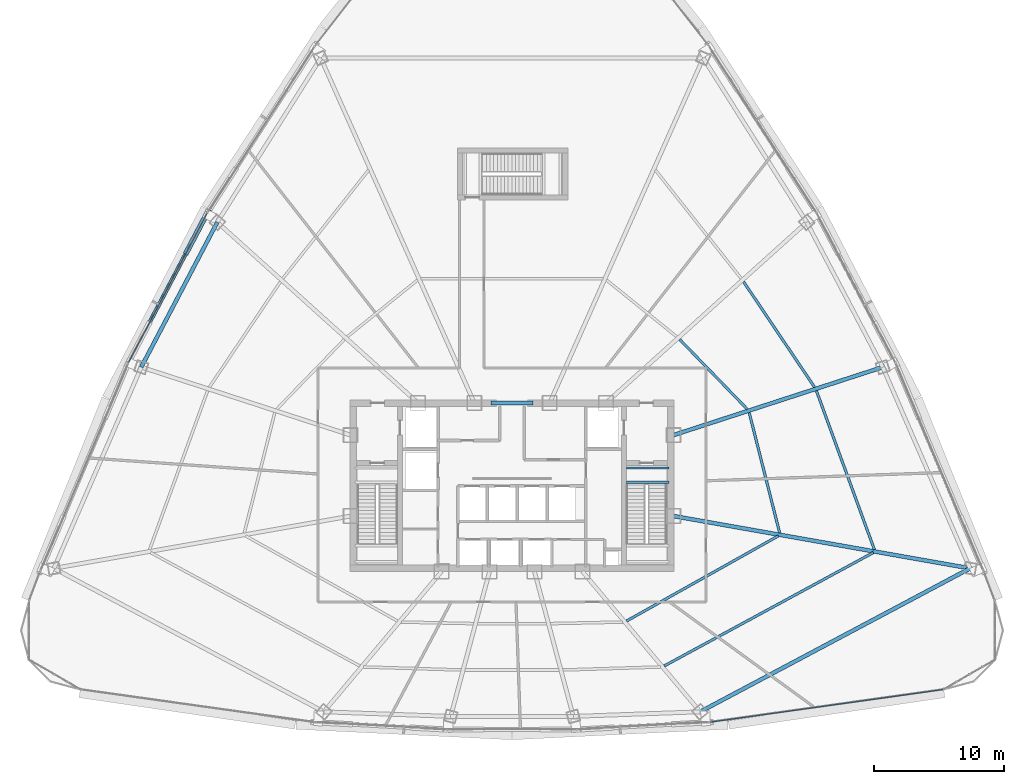
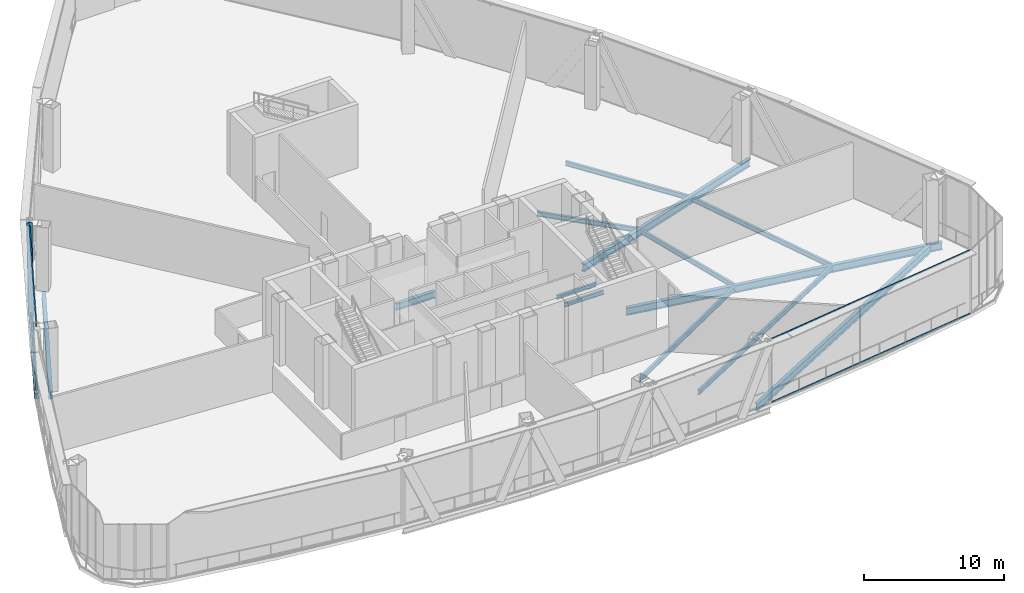
# One storey, part 15 of 38: 14 beams, 5 members, 2 elements without a shape of their own.
"""IFC4 building model written with IfcOpenShell, lengths in metres."""

from ifc_helpers import new_model, si_unit, direction, frame, origin, origin_2d, place, context, subcontext, project, spatial, hollow_rectangle, i_section, extrude, source, transform, mapped, material, layer, layer_set, material_profile, profile_set, type_object, element, aggregate, save


model = new_model("IFC4")

# Units and contexts
model_context = context("Model", 3, precision=1e-05, world=origin(), true_north=direction((0.0, 1.0)))
body_context = subcontext(model_context, "Body", "Model", "MODEL_VIEW")
ifc_project = project(units=[si_unit("LENGTHUNIT", "METRE"), si_unit("AREAUNIT", "SQUARE_METRE"), si_unit("VOLUMEUNIT", "CUBIC_METRE"), si_unit("PLANEANGLEUNIT", "RADIAN"), si_unit("MASSUNIT", "GRAM", prefix="KILO"), si_unit("THERMODYNAMICTEMPERATUREUNIT", "KELVIN"), si_unit("POWERUNIT", "WATT")], contexts=[model_context])

# Site, building, storey
site_placement = place(None, origin())
site = spatial("IfcSite", under=ifc_project, at=site_placement, CompositionType="ELEMENT")
building_placement = place(site_placement, origin())
building = spatial("IfcBuilding", under=site, at=building_placement, Name="Yunzhuo Pagoda Commons", CompositionType="ELEMENT")
storey_placement = place(building_placement, frame((0.0, 0.0, 218.9599609375)))
storey = spatial("IfcBuildingStorey", under=building, at=storey_placement, Name="L55", CompositionType="ELEMENT", Elevation=218.9599609375)

# Beams
ifc_material_1 = material(Name="Structural steel Q355B", Category="steel")
ifc_material_profile_1 = material_profile(ifc_material_1, i_section(OverallWidth=0.175048828125, OverallDepth=0.35009765625, WebThickness=0.007080078125, FlangeThickness=0.010986328125, at=origin_2d()), Name="Structural steel Q355B")
ifc_profile_set_1 = profile_set([ifc_material_profile_1], Name="Structural steel Q355B")
beam_type_1 = type_object("IfcBeamType", Name="B-JS2 Joist HN 350x175x7x11", PredefinedType="JOIST", material=ifc_profile_set_1)
shared_shape_1 = source(origin(), body_context, "Body", "SweptSolid", [
    extrude(i_section(OverallWidth=0.175048828125, OverallDepth=0.35009765625, WebThickness=0.007080078125, FlangeThickness=0.010986328125, at=origin_2d()), origin(), (0.0, 0.0, 1.0), 3.25),
])
for number, where, z_axis, x_axis, name in (
    (1, (56.800048828125, 34.10009765625, -0.375), (1.0, 0.0, 0.0), (0.0, 1.0, 0.0), "L55 ST2 landing support beam 159A"),
    (2, (56.800048828125, 35.199951171875, -0.375), (1.0, 0.0, 0.0), (0.0, 1.0, 0.0), "L55 ST2 landing support beam 159B"),
):
    element("IfcBeam", number, at=place(storey_placement, frame(where, z_axis=z_axis, x_axis=x_axis)), inside=storey, type_object=beam_type_1, Name=name, PredefinedType="JOIST", context=body_context, shape_type="MappedRepresentation", body=[
        mapped(shared_shape_1, transform((0.0, 0.0, 0.0), scale=1.0)),
    ])
ifc_material_2 = material(Name="Structural steel Q420B", Category="steel")
ifc_material_profile_2 = material_profile(ifc_material_2, i_section(OverallWidth=0.300048828125, OverallDepth=0.587890625, WebThickness=0.011962890625, FlangeThickness=0.02001953125, at=origin_2d()), Name="Structural steel Q420B")
ifc_profile_set_2 = profile_set([ifc_material_profile_2], Name="Structural steel Q420B")
beam_type_2 = type_object("IfcBeamType", Name="B-CPL Beam HM 588x300x12x20", PredefinedType="BEAM", material=ifc_profile_set_2)
shared_shape_2 = source(origin(), body_context, "Body", "SweptSolid", [
    extrude(i_section(OverallWidth=0.300048828125, OverallDepth=0.587890625, WebThickness=0.011962890625, FlangeThickness=0.02001953125, at=origin_2d()), origin(), (0.0, 0.0, 1.0), 3.2001953125),
])
beam_1_placement = place(storey_placement, frame((46.39990234375, 40.199951171875, -0.573974609375), z_axis=(1.0, 0.0, 0.0), x_axis=(0.0, 1.0, 0.0)))
element("IfcBeam", 3, at=beam_1_placement, inside=storey, type_object=beam_type_2, Name="L55 core coupling girder", PredefinedType="BEAM", context=body_context, shape_type="MappedRepresentation", body=[
    mapped(shared_shape_2, transform((0.0, 0.0, 0.0), scale=1.0)),
])
ifc_material_profile_3 = material_profile(ifc_material_1, i_section(OverallWidth=0.300048828125, OverallDepth=0.64990234375, WebThickness=0.012939453125, FlangeThickness=0.02197265625, at=origin_2d()), Name="Structural steel Q355B")
ifc_profile_set_3 = profile_set([ifc_material_profile_3], Name="Structural steel Q355B")
beam_type_3 = type_object("IfcBeamType", Name="B-RG2 Beam HN 650x300x13x22", PredefinedType="BEAM", material=ifc_profile_set_3)
shared_shape_3 = source(origin(), body_context, "Body", "SweptSolid", [
    extrude(i_section(OverallWidth=0.300048828125, OverallDepth=0.64990234375, WebThickness=0.012939453125, FlangeThickness=0.02197265625, at=origin_2d()), origin(), (0.0, 0.0, 1.0), 23.49365234375),
])
beam_2_placement = place(storey_placement, frame((62.461181640625, 16.4658203125, -0.604736328125), z_axis=(0.883016269865, 0.469342377325, 0.0), x_axis=(-0.469342377325, 0.883016269865, 0.0)))
element("IfcBeam", 4, at=beam_2_placement, inside=storey, type_object=beam_type_3, Name="L55 column-ring beam 4", PredefinedType="BEAM", context=body_context, shape_type="MappedRepresentation", body=[
    mapped(shared_shape_3, transform((0.0, 0.0, 0.0), scale=1.0)),
])
shared_shape_4 = source(origin(), body_context, "Body", "SweptSolid", [
    extrude(i_section(OverallWidth=0.300048828125, OverallDepth=0.64990234375, WebThickness=0.012939453125, FlangeThickness=0.02197265625, at=origin_2d()), origin(), (0.0, 0.0, 1.0), 12.576416015625),
])
beam_3_placement = place(storey_placement, frame((25.349365234375, 54.0947265625, -0.604736328125), z_axis=(-0.464676385233, -0.885480579689, 0.0), x_axis=(0.885480579689, -0.464676385233, 0.0)))
element("IfcBeam", 5, at=beam_3_placement, inside=storey, type_object=beam_type_3, Name="L55 column-ring beam 10", PredefinedType="BEAM", context=body_context, shape_type="MappedRepresentation", body=[
    mapped(shared_shape_4, transform((0.0, 0.0, 0.0), scale=1.0)),
])
ifc_material_profile_4 = material_profile(ifc_material_1, i_section(OverallWidth=0.199951171875, OverallDepth=0.39990234375, WebThickness=0.008056640625, FlangeThickness=0.012939453125, at=origin_2d()), Name="Structural steel Q355B")
ifc_profile_set_4 = profile_set([ifc_material_profile_4], Name="Structural steel Q355B")
beam_type_4 = type_object("IfcBeamType", Name="B-JS1 Joist HN 400x200x8x13", PredefinedType="JOIST", material=ifc_profile_set_4)
shared_shape_5 = source(origin(), body_context, "Body", "SweptSolid", [
    extrude(i_section(OverallWidth=0.199951171875, OverallDepth=0.39990234375, WebThickness=0.008056640625, FlangeThickness=0.012939453125, at=origin_2d()), origin(), (0.0, 0.0, 1.0), 13.372802734375),
])
beam_4_placement = place(storey_placement, frame((56.80859375, 23.445556640625, -0.479736328125), z_axis=(0.872150261016, 0.4892381038, 0.0), x_axis=(-0.4892381038, 0.872150261016, 0.0)))
element("IfcBeam", 6, at=beam_4_placement, inside=storey, type_object=beam_type_4, Name="L55 composite ring joist 1.4", PredefinedType="JOIST", context=body_context, shape_type="MappedRepresentation", body=[
    mapped(shared_shape_5, transform((0.0, 0.0, 0.0), scale=1.0)),
])
shared_shape_6 = source(origin(), body_context, "Body", "SweptSolid", [
    extrude(i_section(OverallWidth=0.199951171875, OverallDepth=0.39990234375, WebThickness=0.008056640625, FlangeThickness=0.012939453125, at=origin_2d()), origin(), (0.0, 0.0, 1.0), 18.27294921875),
])
beam_5_placement = place(storey_placement, frame((59.705322265625, 19.992431640625, -0.479736328125), z_axis=(0.879067821824, 0.476696721861, 0.0), x_axis=(-0.476696721861, 0.879067821824, 0.0)))
element("IfcBeam", 7, at=beam_5_placement, inside=storey, type_object=beam_type_4, Name="L55 composite ring joist 2.4", PredefinedType="JOIST", context=body_context, shape_type="MappedRepresentation", body=[
    mapped(shared_shape_6, transform((0.0, 0.0, 0.0), scale=1.0)),
])
shared_shape_7 = source(origin(), body_context, "Body", "SweptSolid", [
    extrude(i_section(OverallWidth=0.199951171875, OverallDepth=0.39990234375, WebThickness=0.008056640625, FlangeThickness=0.012939453125, at=origin_2d()), origin(), (0.0, 0.0, 1.0), 9.529052734375),
])
beam_6_placement = place(storey_placement, frame((68.5712890625, 30.219970703125, -0.479736328125), z_axis=(-0.245367921097, 0.969430030119, 0.0), x_axis=(-0.969430030119, -0.245367921097, 0.0)))
element("IfcBeam", 8, at=beam_6_placement, inside=storey, type_object=beam_type_4, Name="L55 composite ring joist 1.5", PredefinedType="JOIST", context=body_context, shape_type="MappedRepresentation", body=[
    mapped(shared_shape_7, transform((0.0, 0.0, 0.0), scale=1.0)),
])
shared_shape_8 = source(origin(), body_context, "Body", "SweptSolid", [
    extrude(i_section(OverallWidth=0.199951171875, OverallDepth=0.39990234375, WebThickness=0.008056640625, FlangeThickness=0.012939453125, at=origin_2d()), origin(), (0.0, 0.0, 1.0), 12.994873046875),
])
beam_7_placement = place(storey_placement, frame((75.85400390625, 28.928466796875, -0.479736328125), z_axis=(-0.342834977914, 0.939395645039, 0.0), x_axis=(-0.939395645039, -0.342834977914, 0.0)))
element("IfcBeam", 9, at=beam_7_placement, inside=storey, type_object=beam_type_4, Name="L55 composite ring joist 2.5", PredefinedType="JOIST", context=body_context, shape_type="MappedRepresentation", body=[
    mapped(shared_shape_8, transform((0.0, 0.0, 0.0), scale=1.0)),
])
shared_shape_9 = source(origin(), body_context, "Body", "SweptSolid", [
    extrude(i_section(OverallWidth=0.199951171875, OverallDepth=0.39990234375, WebThickness=0.008056640625, FlangeThickness=0.012939453125, at=origin_2d()), origin(), (0.0, 0.0, 1.0), 7.46826171875),
])
beam_8_placement = place(storey_placement, frame((66.08349609375, 39.725830078125, -0.479736328125), z_axis=(-0.696070782679, 0.717973164889, 0.0), x_axis=(-0.717973164889, -0.696070782679, 0.0)))
element("IfcBeam", 10, at=beam_8_placement, inside=storey, type_object=beam_type_4, Name="L55 composite ring joist 1.6", PredefinedType="JOIST", context=body_context, shape_type="MappedRepresentation", body=[
    mapped(shared_shape_9, transform((0.0, 0.0, 0.0), scale=1.0)),
])
shared_shape_10 = source(origin(), body_context, "Body", "SweptSolid", [
    extrude(i_section(OverallWidth=0.199951171875, OverallDepth=0.39990234375, WebThickness=0.008056640625, FlangeThickness=0.012939453125, at=origin_2d()), origin(), (0.0, 0.0, 1.0), 9.764892578125),
])
beam_9_placement = place(storey_placement, frame((71.255615234375, 41.4169921875, -0.479736328125), z_axis=(-0.558548425455, 0.829471914185, 0.0), x_axis=(-0.829471914185, -0.558548425455, 0.0)))
element("IfcBeam", 11, at=beam_9_placement, inside=storey, type_object=beam_type_4, Name="L55 composite ring joist 2.6", PredefinedType="JOIST", context=body_context, shape_type="MappedRepresentation", body=[
    mapped(shared_shape_10, transform((0.0, 0.0, 0.0), scale=1.0)),
])
shared_shape_11 = source(origin(), body_context, "Body", "SweptSolid", [
    extrude(i_section(OverallWidth=0.300048828125, OverallDepth=0.64990234375, WebThickness=0.012939453125, FlangeThickness=0.02197265625, at=origin_2d()), origin(), (0.0, 0.0, 1.0), 24.053466796875),
])
beam_10_placement = place(storey_placement, frame((84.087890625, 27.336669921875, -0.604736328125), z_axis=(-0.98480827656, 0.173645208453, 0.0), x_axis=(-0.173645208453, -0.98480827656, 0.0)))
element("IfcBeam", 12, at=beam_10_placement, inside=storey, type_object=beam_type_3, Name="L55 radial floor girder F2C1", PredefinedType="BEAM", context=body_context, shape_type="MappedRepresentation", body=[
    mapped(shared_shape_11, transform((0.0, 0.0, 0.0), scale=1.0)),
])
shared_shape_12 = source(origin(), body_context, "Body", "SweptSolid", [
    extrude(i_section(OverallWidth=0.300048828125, OverallDepth=0.64990234375, WebThickness=0.012939453125, FlangeThickness=0.02197265625, at=origin_2d()), origin(), (0.0, 0.0, 1.0), 17.818115234375),
])
beam_11_placement = place(storey_placement, frame((77.345947265625, 43.235107421875, -0.604736328125), z_axis=(-0.951056520464, -0.309016981545, 0.0), x_axis=(0.309016981545, -0.951056520464, 0.0)))
element("IfcBeam", 13, at=beam_11_placement, inside=storey, type_object=beam_type_3, Name="L55 radial floor girder F2C2", PredefinedType="BEAM", context=body_context, shape_type="MappedRepresentation", body=[
    mapped(shared_shape_12, transform((0.0, 0.0, 0.0), scale=1.0)),
])
ifc_material_profile_5 = material_profile(ifc_material_1, i_section(OverallWidth=0.300048828125, OverallDepth=0.488037109375, WebThickness=0.010986328125, FlangeThickness=0.01806640625, at=origin_2d()), Name="Structural steel Q355B")
ifc_profile_set_5 = profile_set([ifc_material_profile_5], Name="Structural steel Q355B")
beam_type_5 = type_object("IfcBeamType", Name="B-SP1 Beam HM 488x300x11x18", PredefinedType="BEAM", material=ifc_profile_set_5)
shared_shape_13 = source(origin(), body_context, "Body", "SweptSolid", [
    extrude(i_section(OverallWidth=0.300048828125, OverallDepth=0.488037109375, WebThickness=0.010986328125, FlangeThickness=0.01806640625, at=origin_2d()), origin(), (0.0, 0.0, 1.0), 13.012939453125),
])
beam_12_placement = place(storey_placement, frame((24.569091796875, 54.79736328125, -0.52392578125), z_axis=(-0.465884065352, -0.884845770545, 0.0), x_axis=(0.884845770545, -0.465884065352, 0.0)))
element("IfcBeam", 14, at=beam_12_placement, inside=storey, type_object=beam_type_5, Name="L55 facade edge spandrel beam F3.2", PredefinedType="BEAM", context=body_context, shape_type="MappedRepresentation", body=[
    mapped(shared_shape_13, transform((0.0, 0.0, 0.0), scale=1.0)),
])

# Member
ifc_material_profile_6 = material_profile(ifc_material_1, hollow_rectangle(XDim=0.39990234375, YDim=0.719970703125, WallThickness=0.02392578125, at=origin_2d()), Name="Structural steel Q355B")
ifc_profile_set_6 = profile_set([ifc_material_profile_6], Name="Structural steel Q355B")
member_type_1 = type_object("IfcMemberType", Name="M-DL2 Brace BOX 720x400x24", PredefinedType="BRACE", material=ifc_profile_set_6)
shared_shape_14 = source(origin(), body_context, "Body", "SweptSolid", [
    extrude(hollow_rectangle(XDim=0.39990234375, YDim=0.719970703125, WallThickness=0.02392578125, at=origin_2d()), origin(), (0.0, 0.0, 1.0), 6.69384765625),
])
member_1_placement = place(storey_placement, frame((23.053466796875, 51.918701171875, -0.280029296875), z_axis=(0.226420951249, 0.430046623096, 0.873952776069), x_axis=(-0.884849842576, 0.46587633133, 0.0)))
element("IfcMember", 15, at=member_1_placement, inside=storey, type_object=member_type_1, Name="L55 facade diamond brace F3.2L", PredefinedType="BRACE", context=body_context, shape_type="MappedRepresentation", body=[
    mapped(shared_shape_14, transform((0.0, 0.0, 0.0), scale=1.0)),
])

# Curtain wall, members
ifc_material_3 = material(Name="Anodized aluminium 6063-T6", Category="aluminium")
ifc_layer = layer(ifc_material_3, 0.14990234375)
ifc_layer_set = layer_set([ifc_layer], Name="Anodized aluminium 6063-T6")
curtain_wall_type = type_object("IfcCurtainWallType", Name="CW-MID Mid-Zone Ribbon Curtain Wall", PredefinedType="NOTDEFINED", material=ifc_layer_set)
curtain_wall_1_placement = place(storey_placement, origin())
curtain_wall_1 = element("IfcCurtainWall", 16, at=curtain_wall_1_placement, inside=storey, type_object=curtain_wall_type, Name="L55 curtain wall CW-L55-F1B5", PredefinedType="NOTDEFINED")
ifc_material_profile_7 = material_profile(ifc_material_3, hollow_rectangle(XDim=0.054931640625, YDim=0.1298828125, WallThickness=0.00341796875, at=origin_2d()), Name="Anodized aluminium 6063-T6")
ifc_profile_set_7 = profile_set([ifc_material_profile_7], Name="Anodized aluminium 6063-T6")
member_type_2 = type_object("IfcMemberType", Name="CW-MID-T Transom RHS 130x55x3.5", PredefinedType="USERDEFINED", material=ifc_profile_set_7)
shared_shape_15 = source(origin(), body_context, "Body", "SweptSolid", [
    extrude(hollow_rectangle(XDim=0.054931640625, YDim=0.1298828125, WallThickness=0.00341796875, at=origin_2d()), origin(), (0.0, 0.0, 1.0), 18.02490234375),
])
member_2_placement = place(storey_placement, frame((63.269775390625, 15.68017578125, 0.027587890625), z_axis=(0.990385959473, 0.138331671281, 0.0), x_axis=(-0.138331671281, 0.990385959473, 0.0)))
member_2 = element("IfcMember", 17, at=member_2_placement, type_object=member_type_2, Name="CW transom 1.1", ObjectType="TRANSOM", PredefinedType="USERDEFINED", context=body_context, shape_type="MappedRepresentation", body=[
    mapped(shared_shape_15, transform((0.0, 0.0, 0.0), scale=1.0)),
])
member_3_placement = place(storey_placement, frame((63.269775390625, 15.68017578125, 5.54248046875), z_axis=(0.990385959473, 0.138331671281, 0.0), x_axis=(-0.138331671281, 0.990385959473, 0.0)))
member_3 = element("IfcMember", 18, at=member_3_placement, type_object=member_type_2, Name="CW transom 1.2", ObjectType="TRANSOM", PredefinedType="USERDEFINED", context=body_context, shape_type="MappedRepresentation", body=[
    mapped(shared_shape_15, transform((0.0, 0.0, 0.0), scale=1.0)),
])
aggregate(curtain_wall_1, [member_2, member_3])

curtain_wall_2_placement = place(storey_placement, origin())
curtain_wall_2 = element("IfcCurtainWall", 19, at=curtain_wall_2_placement, inside=storey, type_object=curtain_wall_type, Name="L55 curtain wall CW-L55-F3B3", PredefinedType="NOTDEFINED")
shared_shape_16 = source(origin(), body_context, "Body", "SweptSolid", [
    extrude(hollow_rectangle(XDim=0.054931640625, YDim=0.1298828125, WallThickness=0.00341796875, at=origin_2d()), origin(), (0.0, 0.0, 1.0), 12.892578125),
])
member_4_placement = place(storey_placement, frame((24.541015625, 54.744140625, 0.027587890625), z_axis=(-0.465877546024, -0.884849203035, 0.0), x_axis=(0.884849203035, -0.465877546024, 0.0)))
member_4 = element("IfcMember", 20, at=member_4_placement, type_object=member_type_2, Name="CW transom 1.1", ObjectType="TRANSOM", PredefinedType="USERDEFINED", context=body_context, shape_type="MappedRepresentation", body=[
    mapped(shared_shape_16, transform((0.0, 0.0, 0.0), scale=1.0)),
])
member_5_placement = place(storey_placement, frame((24.541015625, 54.744140625, 5.54248046875), z_axis=(-0.465877546024, -0.884849203035, 0.0), x_axis=(0.884849203035, -0.465877546024, 0.0)))
member_5 = element("IfcMember", 21, at=member_5_placement, type_object=member_type_2, Name="CW transom 1.2", ObjectType="TRANSOM", PredefinedType="USERDEFINED", context=body_context, shape_type="MappedRepresentation", body=[
    mapped(shared_shape_16, transform((0.0, 0.0, 0.0), scale=1.0)),
])
aggregate(curtain_wall_2, [member_4, member_5])

save(model, "model.ifc")
